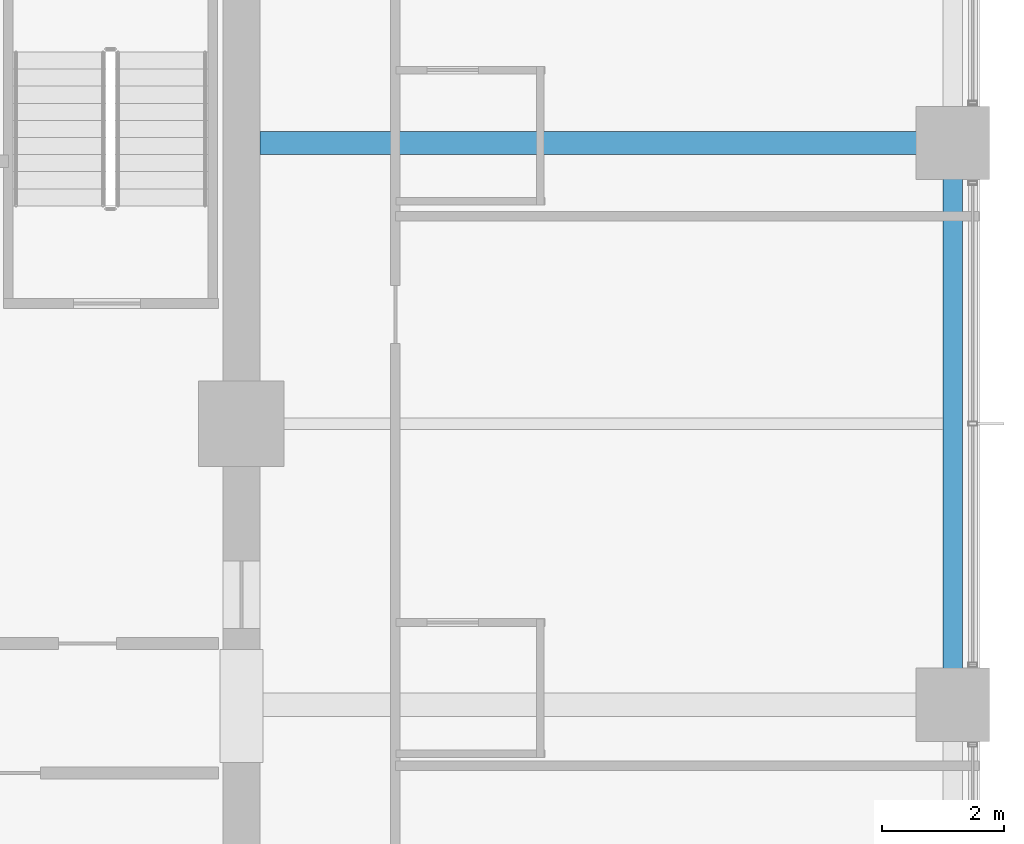
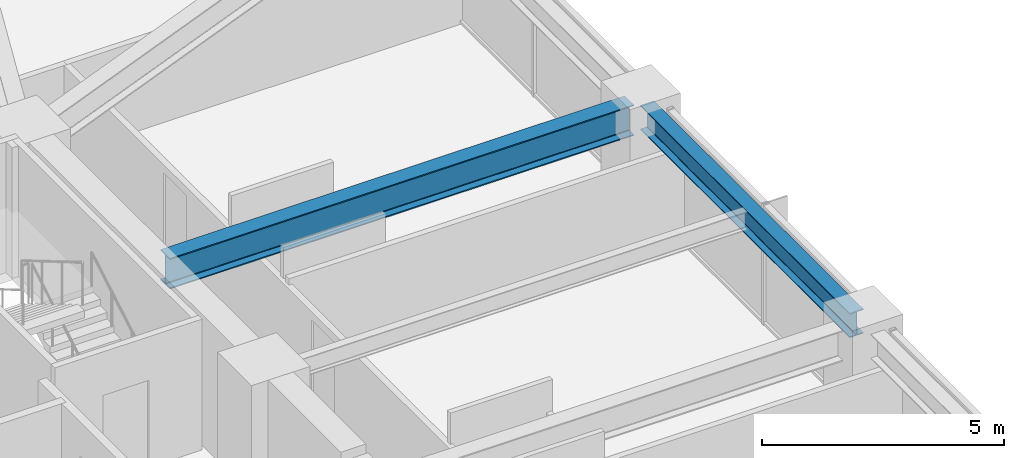
# One storey, part 15 of 38: 2 beams.
"""IFC4 building model written with IfcOpenShell, lengths in metres."""

from ifc_helpers import new_model, si_unit, direction, frame, origin, origin_2d, place, context, subcontext, project, spatial, i_section, extrude, material, material_profile, profile_set, type_object, element, save


model = new_model("IFC4")

# Units and contexts
model_context = context("Model", 3, precision=1e-05, world=origin(), true_north=direction((0.0, 1.0)))
body_context = subcontext(model_context, "Body", "Model", "MODEL_VIEW")
ifc_project = project(units=[si_unit("LENGTHUNIT", "METRE"), si_unit("AREAUNIT", "SQUARE_METRE"), si_unit("VOLUMEUNIT", "CUBIC_METRE"), si_unit("PLANEANGLEUNIT", "RADIAN"), si_unit("MASSUNIT", "GRAM", prefix="KILO")], contexts=[model_context])

# Site, building, storey
site_placement = place(None, origin())
site = spatial("IfcSite", under=ifc_project, at=site_placement, CompositionType="ELEMENT")
building_placement = place(site_placement, origin())
building = spatial("IfcBuilding", under=site, at=building_placement, Name="Kolvaren Belvedere", CompositionType="ELEMENT")
storey_placement = place(building_placement, frame((0.0, 0.0, 27.10009765625)))
storey = spatial("IfcBuildingStorey", under=building, at=storey_placement, Name="L07", CompositionType="ELEMENT", Elevation=27.10009765625)

# Beams
ifc_material_1 = material(Name="Structural steel ASTM A992 Grade 50", Category="steel")
ifc_material_profile_1 = material_profile(ifc_material_1, i_section(OverallWidth=0.381103515625, OverallDepth=0.77294921875, WebThickness=0.0166015625, FlangeThickness=0.027099609375, FilletRadius=0.02392578125, at=origin_2d()), Name="W30X173")
ifc_profile_set_1 = profile_set([ifc_material_profile_1], Name="Structural steel ASTM A992 Grade 50")
beam_type_1 = type_object("IfcBeamType", Name="BM-GIRD-W30X173", PredefinedType="BEAM", material=ifc_profile_set_1)
beam_1_placement = place(storey_placement, frame((10.199951171875, 4.60009765625, 2.67333984375), z_axis=(1.0, 0.0, 0.0), x_axis=(0.0, 1.0, 0.0)))
element("IfcBeam", 1, at=beam_1_placement, inside=storey, type_object=beam_type_1, Name="L07 East Radial Girder P", PredefinedType="BEAM", context=body_context, shape_type="SweptSolid", body=[
    extrude(i_section(OverallWidth=0.381103515625, OverallDepth=0.77294921875, WebThickness=0.0166015625, FlangeThickness=0.027099609375, FilletRadius=0.02392578125, at=origin_2d()), origin(), (0.0, 0.0, 1.0), 11.080078125),
])
ifc_material_2 = material(Name="Structural steel ASTM A992 Grade 50", Category="steel")
ifc_material_profile_2 = material_profile(ifc_material_2, i_section(OverallWidth=0.324951171875, OverallDepth=0.615966796875, WebThickness=0.013916015625, FlangeThickness=0.021484375, FilletRadius=0.02001953125, at=origin_2d()), Name="W24X117")
ifc_profile_set_2 = profile_set([ifc_material_profile_2], Name="Structural steel ASTM A992 Grade 50")
beam_type_2 = type_object("IfcBeamType", Name="BM-SPAN-W24X117", PredefinedType="SPANDREL", material=ifc_profile_set_2)
beam_2_placement = place(storey_placement, frame((21.550048828125, -4.330078125, 2.751953125), z_axis=(0.0, 1.0, 0.0), x_axis=(-1.0, 0.0, 0.0)))
element("IfcBeam", 2, at=beam_2_placement, inside=storey, type_object=beam_type_2, Name="L07 Perimeter Spandrel E2-E3", PredefinedType="SPANDREL", context=body_context, shape_type="SweptSolid", body=[
    extrude(i_section(OverallWidth=0.324951171875, OverallDepth=0.615966796875, WebThickness=0.013916015625, FlangeThickness=0.021484375, FilletRadius=0.02001953125, at=origin_2d()), origin(), (0.0, 0.0, 1.0), 8.66015625),
])

save(model, "model.ifc")
